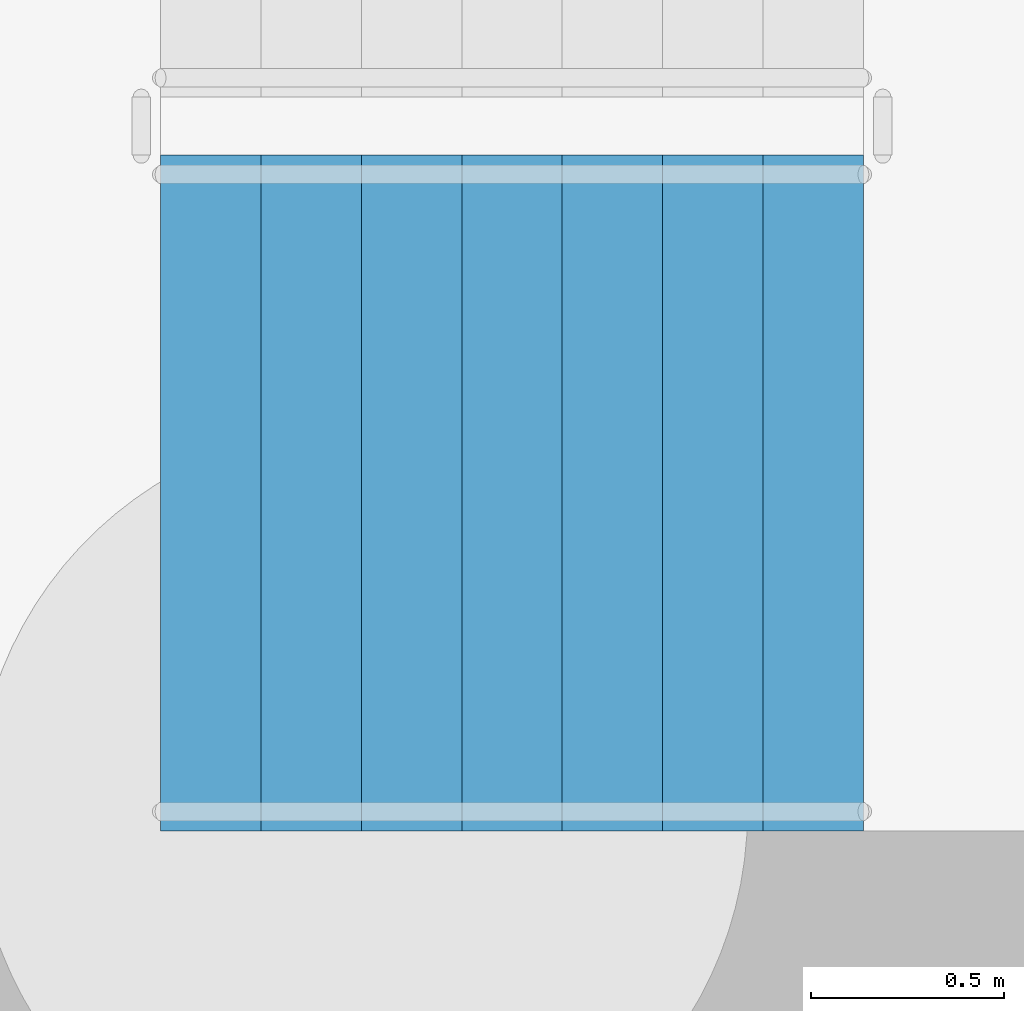
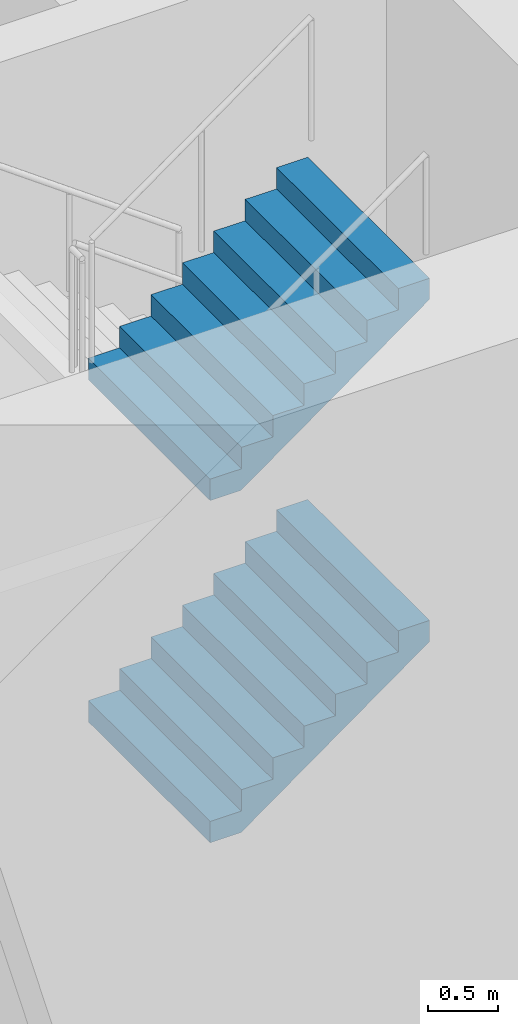
# One storey, part 44 of 75: 2 stair flights, 1 element without a shape of its own.
"""IFC4 building model written with IfcOpenShell, lengths in metres."""

from ifc_helpers import new_model, si_unit, direction, frame, origin, place, context, subcontext, project, spatial, faceted_brep, material, type_object, element, aggregate, save


model = new_model("IFC4")

# Units and contexts
model_context = context("Model", 3, precision=1e-05, world=origin(), true_north=direction((0.0, 1.0)))
body_context = subcontext(model_context, "Body", "Model", "MODEL_VIEW")
ifc_project = project(units=[si_unit("LENGTHUNIT", "METRE"), si_unit("AREAUNIT", "SQUARE_METRE"), si_unit("VOLUMEUNIT", "CUBIC_METRE"), si_unit("PLANEANGLEUNIT", "RADIAN"), si_unit("MASSUNIT", "GRAM", prefix="KILO")], contexts=[model_context])

# Site, building, storey
site_placement = place(None, origin())
site = spatial("IfcSite", under=ifc_project, at=site_placement, CompositionType="ELEMENT")
building_placement = place(site_placement, origin())
building = spatial("IfcBuilding", under=site, at=building_placement, Name="Ipe Terrace Towers", CompositionType="ELEMENT")
storey_placement = place(building_placement, origin())
storey = spatial("IfcBuildingStorey", under=building, at=storey_placement, Name="L00", CompositionType="ELEMENT", Elevation=0.0)

# Stair, stair flights
ifc_material_1 = material(Name="Concrete C30/37", Category="concrete")
stair_type = type_object("IfcStairType", Name="Protected exit stair", PredefinedType="HALF_TURN_STAIR", material=ifc_material_1)
stair_placement = place(storey_placement, origin())
stair = element("IfcStair", 1, at=stair_placement, inside=storey, type_object=stair_type, Name="L00 Exit stair T1-C2", PredefinedType="HALF_TURN_STAIR")
ifc_material_2 = material(Name="Concrete C30/37", Category="concrete")
stair_flight_type = type_object("IfcStairFlightType", Name="Exit stair flight 1750", PredefinedType="STRAIGHT", material=ifc_material_2)
stair_flight_1_placement = place(storey_placement, frame((-47.52001953125, -4.675048828125, 1.5), z_axis=(0.0, 0.0, 1.0), x_axis=(1.0, 0.0, 0.0)))
stair_flight_1 = element("IfcStairFlight", 2, at=stair_flight_1_placement, type_object=stair_flight_type, Name="T1-ST2 flight 2", NumberOfRisers=8, NumberOfTreads=7, PredefinedType="STRAIGHT", RiserHeight=0.1875, TreadLength=0.26, context=body_context, shape_type="Brep", body=[
    faceted_brep([(0.25634765625, -0.875, 0.0), (1.820068359375, -0.875, 1.127685546875), (1.820068359375, -0.875, 1.3125), (1.56005859375, -0.875, 1.3125), (1.56005859375, -0.875, 1.125), (1.300048828125, -0.875, 1.125), (1.300048828125, -0.875, 0.9375), (1.0400390625, -0.875, 0.9375), (1.0400390625, -0.875, 0.75), (0.780029296875, -0.875, 0.75), (0.780029296875, -0.875, 0.5625), (0.52001953125, -0.875, 0.5625), (0.52001953125, -0.875, 0.375), (0.260009765625, -0.875, 0.375), (0.260009765625, -0.875, 0.1875), (0.0, -0.875, 0.1875), (0.0, -0.875, 0.0), (0.0, 0.875, 0.0), (0.0, 0.875, 0.1875), (0.260009765625, 0.875, 0.1875), (0.260009765625, 0.875, 0.375), (0.52001953125, 0.875, 0.375), (0.52001953125, 0.875, 0.5625), (0.780029296875, 0.875, 0.5625), (0.780029296875, 0.875, 0.75), (1.0400390625, 0.875, 0.75), (1.0400390625, 0.875, 0.9375), (1.300048828125, 0.875, 0.9375), (1.300048828125, 0.875, 1.125), (1.56005859375, 0.875, 1.125), (1.56005859375, 0.875, 1.3125), (1.820068359375, 0.875, 1.3125), (1.820068359375, 0.875, 1.127685546875), (0.25634765625, 0.875, 0.0), (0.0, -0.300048828125, 0.1875), (0.0, -0.1201171875, 0.1875), (0.0, -0.06005859375, 0.1875), (0.0, -0.030029296875, 0.1875), (0.0, -0.010009765625, 0.1875), (0.0, 0.0, 0.1875), (0.0, 0.010009765625, 0.1875), (0.0, 0.030029296875, 0.1875), (0.0, 0.06005859375, 0.1875), (0.0, 0.1201171875, 0.1875), (0.0, 0.300048828125, 0.1875), (0.0, 0.300048828125, 0.0), (0.0, 0.1201171875, 0.0), (0.0, 0.06005859375, 0.0), (0.0, 0.030029296875, 0.0), (0.0, 0.010009765625, 0.0), (0.0, 0.0, 0.0), (0.0, -0.010009765625, 0.0), (0.0, -0.030029296875, 0.0), (0.0, -0.06005859375, 0.0), (0.0, -0.1201171875, 0.0), (0.0, -0.300048828125, 0.0), (0.260009765625, -0.300048828125, 0.1875), (0.260009765625, -0.1201171875, 0.1875), (0.260009765625, -0.06005859375, 0.1875), (0.260009765625, -0.030029296875, 0.1875), (0.260009765625, -0.010009765625, 0.1875), (0.260009765625, 0.0, 0.1875), (0.260009765625, 0.010009765625, 0.1875), (0.260009765625, 0.030029296875, 0.1875), (0.260009765625, 0.06005859375, 0.1875), (0.260009765625, 0.1201171875, 0.1875), (0.260009765625, 0.300048828125, 0.1875), (0.260009765625, -0.300048828125, 0.375), (0.260009765625, -0.1201171875, 0.375), (0.260009765625, -0.06005859375, 0.375), (0.260009765625, -0.030029296875, 0.375), (0.260009765625, -0.010009765625, 0.375), (0.260009765625, 0.0, 0.375), (0.260009765625, 0.010009765625, 0.375), (0.260009765625, 0.030029296875, 0.375), (0.260009765625, 0.06005859375, 0.375), (0.260009765625, 0.1201171875, 0.375), (0.260009765625, 0.300048828125, 0.375), (0.52001953125, -0.300048828125, 0.375), (0.52001953125, -0.1201171875, 0.375), (0.52001953125, -0.06005859375, 0.375), (0.52001953125, -0.030029296875, 0.375), (0.52001953125, -0.010009765625, 0.375), (0.52001953125, 0.0, 0.375), (0.52001953125, 0.010009765625, 0.375), (0.52001953125, 0.030029296875, 0.375), (0.52001953125, 0.06005859375, 0.375), (0.52001953125, 0.1201171875, 0.375), (0.52001953125, 0.300048828125, 0.375), (0.52001953125, -0.300048828125, 0.5625), (0.52001953125, -0.1201171875, 0.5625), (0.52001953125, -0.06005859375, 0.5625), (0.52001953125, -0.030029296875, 0.5625), (0.52001953125, -0.010009765625, 0.5625), (0.52001953125, 0.0, 0.5625), (0.52001953125, 0.010009765625, 0.5625), (0.52001953125, 0.030029296875, 0.5625), (0.52001953125, 0.06005859375, 0.5625), (0.52001953125, 0.1201171875, 0.5625), (0.52001953125, 0.300048828125, 0.5625), (0.780029296875, -0.300048828125, 0.5625), (0.780029296875, -0.1201171875, 0.5625), (0.780029296875, -0.06005859375, 0.5625), (0.780029296875, -0.030029296875, 0.5625), (0.780029296875, -0.010009765625, 0.5625), (0.780029296875, 0.0, 0.5625), (0.780029296875, 0.010009765625, 0.5625), (0.780029296875, 0.030029296875, 0.5625), (0.780029296875, 0.06005859375, 0.5625), (0.780029296875, 0.1201171875, 0.5625), (0.780029296875, 0.300048828125, 0.5625), (0.780029296875, -0.300048828125, 0.75), (0.780029296875, -0.1201171875, 0.75), (0.780029296875, -0.06005859375, 0.75), (0.780029296875, -0.030029296875, 0.75), (0.780029296875, -0.010009765625, 0.75), (0.780029296875, 0.0, 0.75), (0.780029296875, 0.010009765625, 0.75), (0.780029296875, 0.030029296875, 0.75), (0.780029296875, 0.06005859375, 0.75), (0.780029296875, 0.1201171875, 0.75), (0.780029296875, 0.300048828125, 0.75), (1.0400390625, -0.300048828125, 0.75), (1.0400390625, -0.1201171875, 0.75), (1.0400390625, -0.06005859375, 0.75), (1.0400390625, -0.030029296875, 0.75), (1.0400390625, -0.010009765625, 0.75), (1.0400390625, 0.0, 0.75), (1.0400390625, 0.010009765625, 0.75), (1.0400390625, 0.030029296875, 0.75), (1.0400390625, 0.06005859375, 0.75), (1.0400390625, 0.1201171875, 0.75), (1.0400390625, 0.300048828125, 0.75), (1.0400390625, -0.300048828125, 0.9375), (1.0400390625, -0.1201171875, 0.9375), (1.0400390625, -0.06005859375, 0.9375), (1.0400390625, -0.030029296875, 0.9375), (1.0400390625, -0.010009765625, 0.9375), (1.0400390625, 0.0, 0.9375), (1.0400390625, 0.010009765625, 0.9375), (1.0400390625, 0.030029296875, 0.9375), (1.0400390625, 0.06005859375, 0.9375), (1.0400390625, 0.1201171875, 0.9375), (1.0400390625, 0.300048828125, 0.9375), (1.300048828125, -0.300048828125, 0.9375), (1.300048828125, -0.1201171875, 0.9375), (1.300048828125, -0.06005859375, 0.9375), (1.300048828125, -0.030029296875, 0.9375), (1.300048828125, -0.010009765625, 0.9375), (1.300048828125, 0.0, 0.9375), (1.300048828125, 0.010009765625, 0.9375), (1.300048828125, 0.030029296875, 0.9375), (1.300048828125, 0.06005859375, 0.9375), (1.300048828125, 0.1201171875, 0.9375), (1.300048828125, 0.300048828125, 0.9375), (1.300048828125, -0.300048828125, 1.125), (1.300048828125, -0.1201171875, 1.125), (1.300048828125, -0.06005859375, 1.125), (1.300048828125, -0.030029296875, 1.125), (1.300048828125, -0.010009765625, 1.125), (1.300048828125, 0.0, 1.125), (1.300048828125, 0.010009765625, 1.125), (1.300048828125, 0.030029296875, 1.125), (1.300048828125, 0.06005859375, 1.125), (1.300048828125, 0.1201171875, 1.125), (1.300048828125, 0.300048828125, 1.125), (1.56005859375, -0.300048828125, 1.125), (1.56005859375, -0.1201171875, 1.125), (1.56005859375, -0.06005859375, 1.125), (1.56005859375, -0.030029296875, 1.125), (1.56005859375, -0.010009765625, 1.125), (1.56005859375, 0.0, 1.125), (1.56005859375, 0.010009765625, 1.125), (1.56005859375, 0.030029296875, 1.125), (1.56005859375, 0.06005859375, 1.125), (1.56005859375, 0.1201171875, 1.125), (1.56005859375, 0.300048828125, 1.125), (1.56005859375, -0.300048828125, 1.3125), (1.56005859375, -0.1201171875, 1.3125), (1.56005859375, -0.06005859375, 1.3125), (1.56005859375, -0.030029296875, 1.3125), (1.56005859375, -0.010009765625, 1.3125), (1.56005859375, 0.0, 1.3125), (1.56005859375, 0.010009765625, 1.3125), (1.56005859375, 0.030029296875, 1.3125), (1.56005859375, 0.06005859375, 1.3125), (1.56005859375, 0.1201171875, 1.3125), (1.56005859375, 0.300048828125, 1.3125), (1.820068359375, -0.300048828125, 1.3125), (1.820068359375, -0.1201171875, 1.3125), (1.820068359375, -0.06005859375, 1.3125), (1.820068359375, -0.030029296875, 1.3125), (1.820068359375, -0.010009765625, 1.3125), (1.820068359375, 0.0, 1.3125), (1.820068359375, 0.010009765625, 1.3125), (1.820068359375, 0.030029296875, 1.3125), (1.820068359375, 0.06005859375, 1.3125), (1.820068359375, 0.1201171875, 1.3125), (1.820068359375, 0.300048828125, 1.3125), (1.820068359375, -0.300048828125, 1.127685546875), (1.820068359375, -0.1201171875, 1.127685546875), (1.820068359375, -0.06005859375, 1.127685546875), (1.820068359375, -0.030029296875, 1.127685546875), (1.820068359375, -0.010009765625, 1.127685546875), (1.820068359375, 0.0, 1.127685546875), (1.820068359375, 0.010009765625, 1.127685546875), (1.820068359375, 0.030029296875, 1.127685546875), (1.820068359375, 0.06005859375, 1.127685546875), (1.820068359375, 0.1201171875, 1.127685546875), (1.820068359375, 0.300048828125, 1.127685546875), (0.25634765625, -0.300048828125, 0.0), (0.25634765625, -0.1201171875, 0.0), (0.25634765625, -0.06005859375, 0.0), (0.25634765625, -0.030029296875, 0.0), (0.25634765625, -0.010009765625, 0.0), (0.25634765625, 0.0, 0.0), (0.25634765625, 0.010009765625, 0.0), (0.25634765625, 0.030029296875, 0.0), (0.25634765625, 0.06005859375, 0.0), (0.25634765625, 0.1201171875, 0.0), (0.25634765625, 0.300048828125, 0.0)], [[[0, 1, 2, 3, 4, 5, 6, 7, 8, 9, 10, 11, 12, 13, 14, 15, 16]], [[17, 18, 19, 20, 21, 22, 23, 24, 25, 26, 27, 28, 29, 30, 31, 32, 33]], [[15, 34, 35, 36, 37, 38, 39, 40, 41, 42, 43, 44, 18, 17, 45, 46, 47, 48, 49, 50, 51, 52, 53, 54, 55, 16]], [[14, 56, 57, 58, 59, 60, 61, 62, 63, 64, 65, 66, 19, 18, 44, 43, 42, 41, 40, 39, 38, 37, 36, 35, 34, 15]], [[13, 67, 68, 69, 70, 71, 72, 73, 74, 75, 76, 77, 20, 19, 66, 65, 64, 63, 62, 61, 60, 59, 58, 57, 56, 14]], [[12, 78, 79, 80, 81, 82, 83, 84, 85, 86, 87, 88, 21, 20, 77, 76, 75, 74, 73, 72, 71, 70, 69, 68, 67, 13]], [[11, 89, 90, 91, 92, 93, 94, 95, 96, 97, 98, 99, 22, 21, 88, 87, 86, 85, 84, 83, 82, 81, 80, 79, 78, 12]], [[10, 100, 101, 102, 103, 104, 105, 106, 107, 108, 109, 110, 23, 22, 99, 98, 97, 96, 95, 94, 93, 92, 91, 90, 89, 11]], [[9, 111, 112, 113, 114, 115, 116, 117, 118, 119, 120, 121, 24, 23, 110, 109, 108, 107, 106, 105, 104, 103, 102, 101, 100, 10]], [[8, 122, 123, 124, 125, 126, 127, 128, 129, 130, 131, 132, 25, 24, 121, 120, 119, 118, 117, 116, 115, 114, 113, 112, 111, 9]], [[7, 133, 134, 135, 136, 137, 138, 139, 140, 141, 142, 143, 26, 25, 132, 131, 130, 129, 128, 127, 126, 125, 124, 123, 122, 8]], [[6, 144, 145, 146, 147, 148, 149, 150, 151, 152, 153, 154, 27, 26, 143, 142, 141, 140, 139, 138, 137, 136, 135, 134, 133, 7]], [[5, 155, 156, 157, 158, 159, 160, 161, 162, 163, 164, 165, 28, 27, 154, 153, 152, 151, 150, 149, 148, 147, 146, 145, 144, 6]], [[4, 166, 167, 168, 169, 170, 171, 172, 173, 174, 175, 176, 29, 28, 165, 164, 163, 162, 161, 160, 159, 158, 157, 156, 155, 5]], [[3, 177, 178, 179, 180, 181, 182, 183, 184, 185, 186, 187, 30, 29, 176, 175, 174, 173, 172, 171, 170, 169, 168, 167, 166, 4]], [[2, 188, 189, 190, 191, 192, 193, 194, 195, 196, 197, 198, 31, 30, 187, 186, 185, 184, 183, 182, 181, 180, 179, 178, 177, 3]], [[1, 199, 200, 201, 202, 203, 204, 205, 206, 207, 208, 209, 32, 31, 198, 197, 196, 195, 194, 193, 192, 191, 190, 189, 188, 2]], [[0, 210, 211, 212, 213, 214, 215, 216, 217, 218, 219, 220, 33, 32, 209, 208, 207, 206, 205, 204, 203, 202, 201, 200, 199, 1]], [[16, 55, 54, 53, 52, 51, 50, 49, 48, 47, 46, 45, 17, 33, 220, 219, 218, 217, 216, 215, 214, 213, 212, 211, 210, 0]]]),
])
stair_flight_2_placement = place(storey_placement, frame((-47.52001953125, -4.675048828125, 4.5), z_axis=(0.0, 0.0, 1.0), x_axis=(1.0, 0.0, 0.0)))
stair_flight_2 = element("IfcStairFlight", 3, at=stair_flight_2_placement, type_object=stair_flight_type, Name="T1-ST2 flight 4", NumberOfRisers=8, NumberOfTreads=7, PredefinedType="STRAIGHT", RiserHeight=0.1875, TreadLength=0.26, context=body_context, shape_type="Brep", body=[
    faceted_brep([(0.25634765625, -0.875, 0.0), (1.820068359375, -0.875, 1.127685546875), (1.820068359375, -0.875, 1.3125), (1.56005859375, -0.875, 1.3125), (1.56005859375, -0.875, 1.125), (1.300048828125, -0.875, 1.125), (1.300048828125, -0.875, 0.9375), (1.0400390625, -0.875, 0.9375), (1.0400390625, -0.875, 0.75), (0.780029296875, -0.875, 0.75), (0.780029296875, -0.875, 0.5625), (0.52001953125, -0.875, 0.5625), (0.52001953125, -0.875, 0.375), (0.260009765625, -0.875, 0.375), (0.260009765625, -0.875, 0.1875), (0.0, -0.875, 0.1875), (0.0, -0.875, 0.0), (0.0, 0.875, 0.0), (0.0, 0.875, 0.1875), (0.260009765625, 0.875, 0.1875), (0.260009765625, 0.875, 0.375), (0.52001953125, 0.875, 0.375), (0.52001953125, 0.875, 0.5625), (0.780029296875, 0.875, 0.5625), (0.780029296875, 0.875, 0.75), (1.0400390625, 0.875, 0.75), (1.0400390625, 0.875, 0.9375), (1.300048828125, 0.875, 0.9375), (1.300048828125, 0.875, 1.125), (1.56005859375, 0.875, 1.125), (1.56005859375, 0.875, 1.3125), (1.820068359375, 0.875, 1.3125), (1.820068359375, 0.875, 1.127685546875), (0.25634765625, 0.875, 0.0), (0.0, -0.300048828125, 0.1875), (0.0, -0.1201171875, 0.1875), (0.0, -0.06005859375, 0.1875), (0.0, -0.030029296875, 0.1875), (0.0, -0.010009765625, 0.1875), (0.0, 0.0, 0.1875), (0.0, 0.010009765625, 0.1875), (0.0, 0.030029296875, 0.1875), (0.0, 0.06005859375, 0.1875), (0.0, 0.1201171875, 0.1875), (0.0, 0.300048828125, 0.1875), (0.0, 0.300048828125, 0.0), (0.0, 0.1201171875, 0.0), (0.0, 0.06005859375, 0.0), (0.0, 0.030029296875, 0.0), (0.0, 0.010009765625, 0.0), (0.0, 0.0, 0.0), (0.0, -0.010009765625, 0.0), (0.0, -0.030029296875, 0.0), (0.0, -0.06005859375, 0.0), (0.0, -0.1201171875, 0.0), (0.0, -0.300048828125, 0.0), (0.260009765625, -0.300048828125, 0.1875), (0.260009765625, -0.1201171875, 0.1875), (0.260009765625, -0.06005859375, 0.1875), (0.260009765625, -0.030029296875, 0.1875), (0.260009765625, -0.010009765625, 0.1875), (0.260009765625, 0.0, 0.1875), (0.260009765625, 0.010009765625, 0.1875), (0.260009765625, 0.030029296875, 0.1875), (0.260009765625, 0.06005859375, 0.1875), (0.260009765625, 0.1201171875, 0.1875), (0.260009765625, 0.300048828125, 0.1875), (0.260009765625, -0.300048828125, 0.375), (0.260009765625, -0.1201171875, 0.375), (0.260009765625, -0.06005859375, 0.375), (0.260009765625, -0.030029296875, 0.375), (0.260009765625, -0.010009765625, 0.375), (0.260009765625, 0.0, 0.375), (0.260009765625, 0.010009765625, 0.375), (0.260009765625, 0.030029296875, 0.375), (0.260009765625, 0.06005859375, 0.375), (0.260009765625, 0.1201171875, 0.375), (0.260009765625, 0.300048828125, 0.375), (0.52001953125, -0.300048828125, 0.375), (0.52001953125, -0.1201171875, 0.375), (0.52001953125, -0.06005859375, 0.375), (0.52001953125, -0.030029296875, 0.375), (0.52001953125, -0.010009765625, 0.375), (0.52001953125, 0.0, 0.375), (0.52001953125, 0.010009765625, 0.375), (0.52001953125, 0.030029296875, 0.375), (0.52001953125, 0.06005859375, 0.375), (0.52001953125, 0.1201171875, 0.375), (0.52001953125, 0.300048828125, 0.375), (0.52001953125, -0.300048828125, 0.5625), (0.52001953125, -0.1201171875, 0.5625), (0.52001953125, -0.06005859375, 0.5625), (0.52001953125, -0.030029296875, 0.5625), (0.52001953125, -0.010009765625, 0.5625), (0.52001953125, 0.0, 0.5625), (0.52001953125, 0.010009765625, 0.5625), (0.52001953125, 0.030029296875, 0.5625), (0.52001953125, 0.06005859375, 0.5625), (0.52001953125, 0.1201171875, 0.5625), (0.52001953125, 0.300048828125, 0.5625), (0.780029296875, -0.300048828125, 0.5625), (0.780029296875, -0.1201171875, 0.5625), (0.780029296875, -0.06005859375, 0.5625), (0.780029296875, -0.030029296875, 0.5625), (0.780029296875, -0.010009765625, 0.5625), (0.780029296875, 0.0, 0.5625), (0.780029296875, 0.010009765625, 0.5625), (0.780029296875, 0.030029296875, 0.5625), (0.780029296875, 0.06005859375, 0.5625), (0.780029296875, 0.1201171875, 0.5625), (0.780029296875, 0.300048828125, 0.5625), (0.780029296875, -0.300048828125, 0.75), (0.780029296875, -0.1201171875, 0.75), (0.780029296875, -0.06005859375, 0.75), (0.780029296875, -0.030029296875, 0.75), (0.780029296875, -0.010009765625, 0.75), (0.780029296875, 0.0, 0.75), (0.780029296875, 0.010009765625, 0.75), (0.780029296875, 0.030029296875, 0.75), (0.780029296875, 0.06005859375, 0.75), (0.780029296875, 0.1201171875, 0.75), (0.780029296875, 0.300048828125, 0.75), (1.0400390625, -0.300048828125, 0.75), (1.0400390625, -0.1201171875, 0.75), (1.0400390625, -0.06005859375, 0.75), (1.0400390625, -0.030029296875, 0.75), (1.0400390625, -0.010009765625, 0.75), (1.0400390625, 0.0, 0.75), (1.0400390625, 0.010009765625, 0.75), (1.0400390625, 0.030029296875, 0.75), (1.0400390625, 0.06005859375, 0.75), (1.0400390625, 0.1201171875, 0.75), (1.0400390625, 0.300048828125, 0.75), (1.0400390625, -0.300048828125, 0.9375), (1.0400390625, -0.1201171875, 0.9375), (1.0400390625, -0.06005859375, 0.9375), (1.0400390625, -0.030029296875, 0.9375), (1.0400390625, -0.010009765625, 0.9375), (1.0400390625, 0.0, 0.9375), (1.0400390625, 0.010009765625, 0.9375), (1.0400390625, 0.030029296875, 0.9375), (1.0400390625, 0.06005859375, 0.9375), (1.0400390625, 0.1201171875, 0.9375), (1.0400390625, 0.300048828125, 0.9375), (1.300048828125, -0.300048828125, 0.9375), (1.300048828125, -0.1201171875, 0.9375), (1.300048828125, -0.06005859375, 0.9375), (1.300048828125, -0.030029296875, 0.9375), (1.300048828125, -0.010009765625, 0.9375), (1.300048828125, 0.0, 0.9375), (1.300048828125, 0.010009765625, 0.9375), (1.300048828125, 0.030029296875, 0.9375), (1.300048828125, 0.06005859375, 0.9375), (1.300048828125, 0.1201171875, 0.9375), (1.300048828125, 0.300048828125, 0.9375), (1.300048828125, -0.300048828125, 1.125), (1.300048828125, -0.1201171875, 1.125), (1.300048828125, -0.06005859375, 1.125), (1.300048828125, -0.030029296875, 1.125), (1.300048828125, -0.010009765625, 1.125), (1.300048828125, 0.0, 1.125), (1.300048828125, 0.010009765625, 1.125), (1.300048828125, 0.030029296875, 1.125), (1.300048828125, 0.06005859375, 1.125), (1.300048828125, 0.1201171875, 1.125), (1.300048828125, 0.300048828125, 1.125), (1.56005859375, -0.300048828125, 1.125), (1.56005859375, -0.1201171875, 1.125), (1.56005859375, -0.06005859375, 1.125), (1.56005859375, -0.030029296875, 1.125), (1.56005859375, -0.010009765625, 1.125), (1.56005859375, 0.0, 1.125), (1.56005859375, 0.010009765625, 1.125), (1.56005859375, 0.030029296875, 1.125), (1.56005859375, 0.06005859375, 1.125), (1.56005859375, 0.1201171875, 1.125), (1.56005859375, 0.300048828125, 1.125), (1.56005859375, -0.300048828125, 1.3125), (1.56005859375, -0.1201171875, 1.3125), (1.56005859375, -0.06005859375, 1.3125), (1.56005859375, -0.030029296875, 1.3125), (1.56005859375, -0.010009765625, 1.3125), (1.56005859375, 0.0, 1.3125), (1.56005859375, 0.010009765625, 1.3125), (1.56005859375, 0.030029296875, 1.3125), (1.56005859375, 0.06005859375, 1.3125), (1.56005859375, 0.1201171875, 1.3125), (1.56005859375, 0.300048828125, 1.3125), (1.820068359375, -0.300048828125, 1.3125), (1.820068359375, -0.1201171875, 1.3125), (1.820068359375, -0.06005859375, 1.3125), (1.820068359375, -0.030029296875, 1.3125), (1.820068359375, -0.010009765625, 1.3125), (1.820068359375, 0.0, 1.3125), (1.820068359375, 0.010009765625, 1.3125), (1.820068359375, 0.030029296875, 1.3125), (1.820068359375, 0.06005859375, 1.3125), (1.820068359375, 0.1201171875, 1.3125), (1.820068359375, 0.300048828125, 1.3125), (1.820068359375, -0.300048828125, 1.127685546875), (1.820068359375, -0.1201171875, 1.127685546875), (1.820068359375, -0.06005859375, 1.127685546875), (1.820068359375, -0.030029296875, 1.127685546875), (1.820068359375, -0.010009765625, 1.127685546875), (1.820068359375, 0.0, 1.127685546875), (1.820068359375, 0.010009765625, 1.127685546875), (1.820068359375, 0.030029296875, 1.127685546875), (1.820068359375, 0.06005859375, 1.127685546875), (1.820068359375, 0.1201171875, 1.127685546875), (1.820068359375, 0.300048828125, 1.127685546875), (0.25634765625, -0.300048828125, 0.0), (0.25634765625, -0.1201171875, 0.0), (0.25634765625, -0.06005859375, 0.0), (0.25634765625, -0.030029296875, 0.0), (0.25634765625, -0.010009765625, 0.0), (0.25634765625, 0.0, 0.0), (0.25634765625, 0.010009765625, 0.0), (0.25634765625, 0.030029296875, 0.0), (0.25634765625, 0.06005859375, 0.0), (0.25634765625, 0.1201171875, 0.0), (0.25634765625, 0.300048828125, 0.0)], [[[0, 1, 2, 3, 4, 5, 6, 7, 8, 9, 10, 11, 12, 13, 14, 15, 16]], [[17, 18, 19, 20, 21, 22, 23, 24, 25, 26, 27, 28, 29, 30, 31, 32, 33]], [[15, 34, 35, 36, 37, 38, 39, 40, 41, 42, 43, 44, 18, 17, 45, 46, 47, 48, 49, 50, 51, 52, 53, 54, 55, 16]], [[14, 56, 57, 58, 59, 60, 61, 62, 63, 64, 65, 66, 19, 18, 44, 43, 42, 41, 40, 39, 38, 37, 36, 35, 34, 15]], [[13, 67, 68, 69, 70, 71, 72, 73, 74, 75, 76, 77, 20, 19, 66, 65, 64, 63, 62, 61, 60, 59, 58, 57, 56, 14]], [[12, 78, 79, 80, 81, 82, 83, 84, 85, 86, 87, 88, 21, 20, 77, 76, 75, 74, 73, 72, 71, 70, 69, 68, 67, 13]], [[11, 89, 90, 91, 92, 93, 94, 95, 96, 97, 98, 99, 22, 21, 88, 87, 86, 85, 84, 83, 82, 81, 80, 79, 78, 12]], [[10, 100, 101, 102, 103, 104, 105, 106, 107, 108, 109, 110, 23, 22, 99, 98, 97, 96, 95, 94, 93, 92, 91, 90, 89, 11]], [[9, 111, 112, 113, 114, 115, 116, 117, 118, 119, 120, 121, 24, 23, 110, 109, 108, 107, 106, 105, 104, 103, 102, 101, 100, 10]], [[8, 122, 123, 124, 125, 126, 127, 128, 129, 130, 131, 132, 25, 24, 121, 120, 119, 118, 117, 116, 115, 114, 113, 112, 111, 9]], [[7, 133, 134, 135, 136, 137, 138, 139, 140, 141, 142, 143, 26, 25, 132, 131, 130, 129, 128, 127, 126, 125, 124, 123, 122, 8]], [[6, 144, 145, 146, 147, 148, 149, 150, 151, 152, 153, 154, 27, 26, 143, 142, 141, 140, 139, 138, 137, 136, 135, 134, 133, 7]], [[5, 155, 156, 157, 158, 159, 160, 161, 162, 163, 164, 165, 28, 27, 154, 153, 152, 151, 150, 149, 148, 147, 146, 145, 144, 6]], [[4, 166, 167, 168, 169, 170, 171, 172, 173, 174, 175, 176, 29, 28, 165, 164, 163, 162, 161, 160, 159, 158, 157, 156, 155, 5]], [[3, 177, 178, 179, 180, 181, 182, 183, 184, 185, 186, 187, 30, 29, 176, 175, 174, 173, 172, 171, 170, 169, 168, 167, 166, 4]], [[2, 188, 189, 190, 191, 192, 193, 194, 195, 196, 197, 198, 31, 30, 187, 186, 185, 184, 183, 182, 181, 180, 179, 178, 177, 3]], [[1, 199, 200, 201, 202, 203, 204, 205, 206, 207, 208, 209, 32, 31, 198, 197, 196, 195, 194, 193, 192, 191, 190, 189, 188, 2]], [[0, 210, 211, 212, 213, 214, 215, 216, 217, 218, 219, 220, 33, 32, 209, 208, 207, 206, 205, 204, 203, 202, 201, 200, 199, 1]], [[16, 55, 54, 53, 52, 51, 50, 49, 48, 47, 46, 45, 17, 33, 220, 219, 218, 217, 216, 215, 214, 213, 212, 211, 210, 0]]]),
])
aggregate(stair, [stair_flight_1, stair_flight_2])

save(model, "model.ifc")
